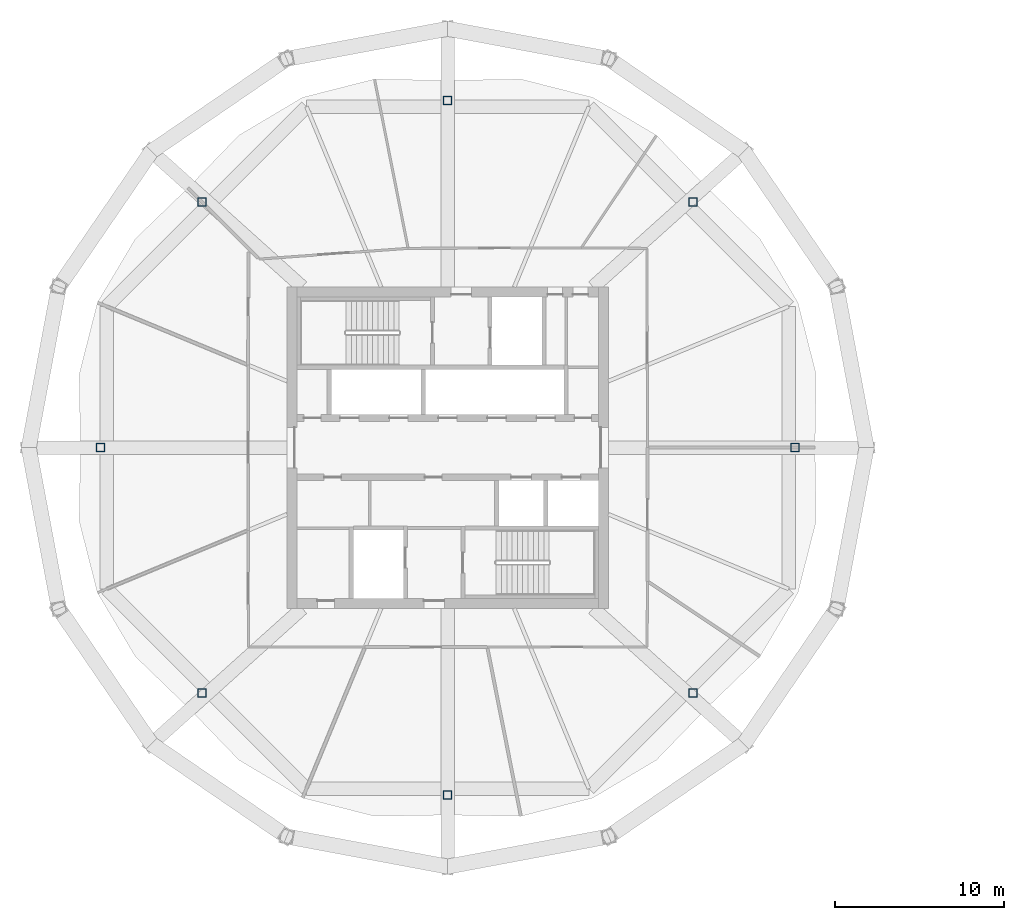
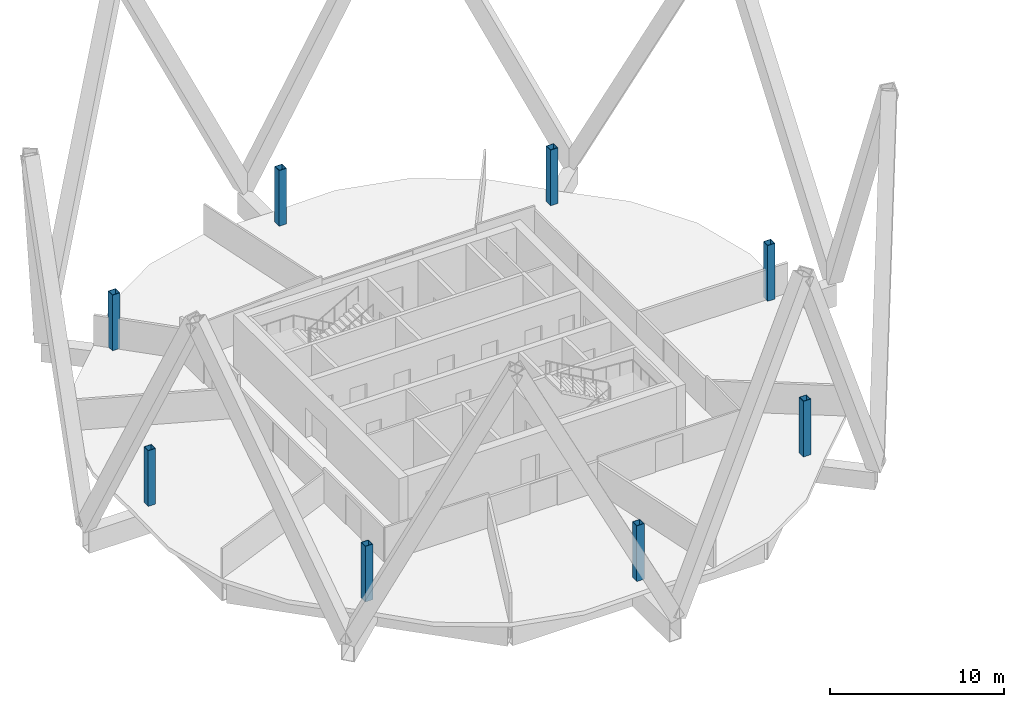
# One storey, part 1 of 10: 8 columns.
"""IFC4 building model written with IfcOpenShell, lengths in metres."""

from ifc_helpers import new_model, si_unit, direction, frame, origin, origin_2d, place, context, subcontext, project, spatial, hollow_rectangle, extrude, material, material_profile, profile_set, type_object, element, save


model = new_model("IFC4")

# Units and contexts
model_context = context("Model", 3, precision=1e-05, world=origin(), true_north=direction((0.0, 1.0)))
body_context = subcontext(model_context, "Body", "Model", "MODEL_VIEW")
ifc_project = project(units=[si_unit("LENGTHUNIT", "METRE"), si_unit("AREAUNIT", "SQUARE_METRE"), si_unit("VOLUMEUNIT", "CUBIC_METRE"), si_unit("PLANEANGLEUNIT", "RADIAN"), si_unit("MASSUNIT", "GRAM", prefix="KILO")], contexts=[model_context])

# Site, building, storey
site_placement = place(None, origin())
site = spatial("IfcSite", under=ifc_project, at=site_placement, CompositionType="ELEMENT")
building_placement = place(site_placement, origin())
building = spatial("IfcBuilding", under=site, at=building_placement, Name="Ogive Gate Towers", CompositionType="ELEMENT")
storey_placement = place(building_placement, frame((0.0, 0.0, 181.199951171875)))
storey = spatial("IfcBuildingStorey", under=building, at=storey_placement, Name="L43", CompositionType="ELEMENT", Elevation=181.199951171875)

# Columns
ifc_material = material(Name="Steel SM460", Category="steel")
ifc_material_profile = material_profile(ifc_material, hollow_rectangle(XDim=0.5, YDim=0.5, WallThickness=0.030029296875, at=origin_2d()), Name="BX 500x500x30")
ifc_profile_set = profile_set([ifc_material_profile], Name="Steel SM460")
column_type = type_object("IfcColumnType", Name="Perimeter post BX 500x500x30", PredefinedType="COLUMN", material=ifc_profile_set)
for number, where, z_axis, x_axis, name in (
    (1, (-15.47998046875, 0.0, 0.0), (0.0, 0.0, 1.0), (1.0, 0.0, 0.0), "T1/L43/SCL001"),
    (2, (-21.490234375, 14.509765625, 0.0), (0.0, 0.0, 1.0), (1.0, 0.0, 0.0), "T1/L43/SCL002"),
    (3, (-36.0, 20.52001953125, 0.0), (0.0, 0.0, 1.0), (1.0, 0.0, 0.0), "T1/L43/SCL003"),
    (4, (-50.509765625, 14.509765625, 0.0), (0.0, 0.0, 1.0), (1.0, 0.0, 0.0), "T1/L43/SCL004"),
    (5, (-56.52001953125, 0.0, 0.0), (0.0, 0.0, 1.0), (1.0, 0.0, 0.0), "T1/L43/SCL005"),
    (6, (-50.509765625, -14.509765625, 0.0), (0.0, 0.0, 1.0), (1.0, 0.0, 0.0), "T1/L43/SCL006"),
    (7, (-36.0, -20.52001953125, 0.0), (0.0, 0.0, 1.0), (1.0, 0.0, 0.0), "T1/L43/SCL007"),
    (8, (-21.490234375, -14.509765625, 0.0), (0.0, 0.0, 1.0), (1.0, 0.0, 0.0), "T1/L43/SCL008"),
):
    element("IfcColumn", number, at=place(storey_placement, frame(where, z_axis=z_axis, x_axis=x_axis)), inside=storey, type_object=column_type, Name=name, PredefinedType="COLUMN", context=body_context, shape_type="SweptSolid", body=[
        extrude(hollow_rectangle(XDim=0.5, YDim=0.5, WallThickness=0.030029296875, at=origin_2d()), origin(), (0.0, 0.0, 1.0), 3.900146484375),
    ])

save(model, "model.ifc")
